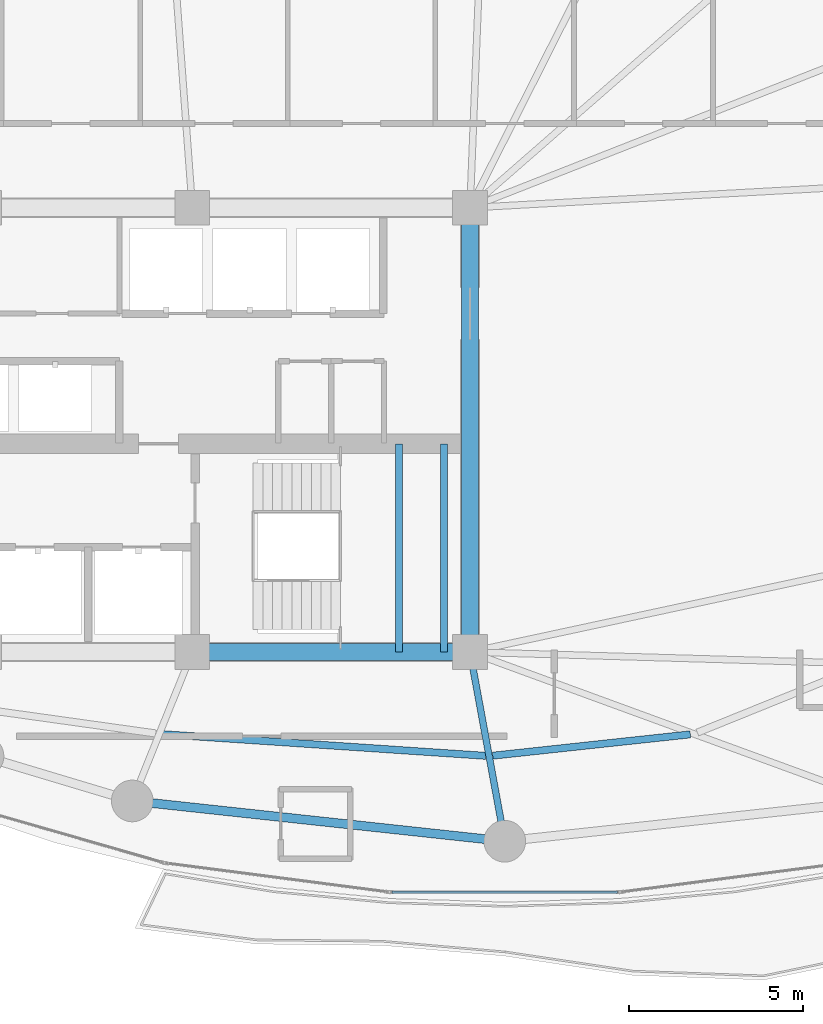
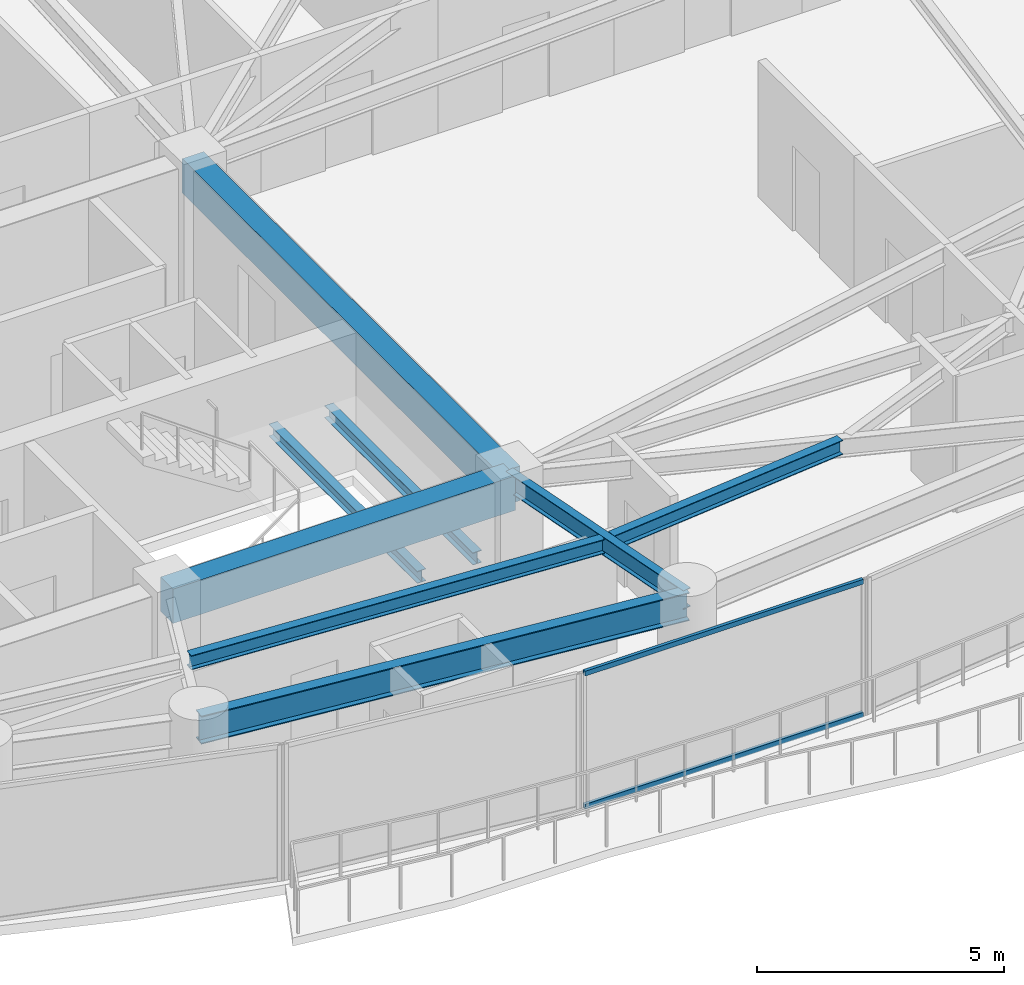
# One storey, part 6 of 28: 8 beams, 2 members, 1 element without a shape of its own.
"""IFC4 building model written with IfcOpenShell, lengths in metres."""

from ifc_helpers import new_model, si_unit, direction, frame, origin, origin_2d, place, context, subcontext, project, spatial, rectangle, hollow_rectangle, i_section, extrude, material, layer, layer_set, material_profile, profile_set, type_object, element, aggregate, save


model = new_model("IFC4")

# Units and contexts
model_context = context("Model", 3, precision=1e-05, world=origin(), true_north=direction((0.0, 1.0)))
body_context = subcontext(model_context, "Body", "Model", "MODEL_VIEW")
ifc_project = project(units=[si_unit("LENGTHUNIT", "METRE"), si_unit("AREAUNIT", "SQUARE_METRE"), si_unit("VOLUMEUNIT", "CUBIC_METRE"), si_unit("PLANEANGLEUNIT", "RADIAN"), si_unit("MASSUNIT", "GRAM", prefix="KILO")], contexts=[model_context])

# Site, building, storey
site_placement = place(None, origin())
site = spatial("IfcSite", under=ifc_project, at=site_placement, CompositionType="ELEMENT")
building_placement = place(site_placement, origin())
building = spatial("IfcBuilding", under=site, at=building_placement, Name="Kazevale Care Tower and Concert Hall", CompositionType="ELEMENT")
storey_placement = place(building_placement, frame((0.0, 0.0, 142.199951171875)))
storey = spatial("IfcBuildingStorey", under=building, at=storey_placement, Name="L37", CompositionType="ELEMENT", Elevation=142.199951171875)

# Curtain wall, members
ifc_material_1 = material(Name="Aluminium 6063-T6 and Low-E Glass", Category="aluminium")
ifc_layer = layer(ifc_material_1, 0.179931640625)
ifc_layer_set = layer_set([ifc_layer], Name="Aluminium 6063-T6 and Low-E Glass")
curtain_wall_type = type_object("IfcCurtainWallType", Name="Sheltered Concave Balcony Curtain Wall CW-5", PredefinedType="NOTDEFINED", material=ifc_layer_set)
curtain_wall_placement = place(storey_placement, origin())
curtain_wall = element("IfcCurtainWall", 1, at=curtain_wall_placement, inside=storey, type_object=curtain_wall_type, Name="cw:L37:f06", PredefinedType="NOTDEFINED")
ifc_material_2 = material(Name="Aluminium 6063-T6", Category="aluminium")
ifc_material_profile_1 = material_profile(ifc_material_2, hollow_rectangle(XDim=0.074951171875, YDim=0.1201171875, WallThickness=0.00390625, at=origin_2d()), Name="ALU75x120x4")
ifc_profile_set_1 = profile_set([ifc_material_profile_1], Name="Aluminium 6063-T6")
member_type = type_object("IfcMemberType", Name="CW-5 Transom ALU75x120x4", PredefinedType="USERDEFINED", material=ifc_profile_set_1)
member_1_placement = place(storey_placement, frame((48.25, 16.68408203125, 0.03759765625), z_axis=(-1.0, 0.0, 0.0), x_axis=(0.0, -1.0, 0.0)))
member_1 = element("IfcMember", 2, at=member_1_placement, type_object=member_type, Name="CW-5 transom 1.1", ObjectType="TRANSOM", PredefinedType="USERDEFINED", context=body_context, shape_type="SweptSolid", body=[
    extrude(hollow_rectangle(XDim=0.074951171875, YDim=0.1201171875, WallThickness=0.00390625, at=origin_2d()), origin(), (0.0, 0.0, 1.0), 6.5),
])
member_2_placement = place(storey_placement, frame((48.25, 16.68408203125, 3.322509765625), z_axis=(-1.0, 0.0, 0.0), x_axis=(0.0, -1.0, 0.0)))
member_2 = element("IfcMember", 3, at=member_2_placement, type_object=member_type, Name="CW-5 transom 1.2", ObjectType="TRANSOM", PredefinedType="USERDEFINED", context=body_context, shape_type="SweptSolid", body=[
    extrude(hollow_rectangle(XDim=0.074951171875, YDim=0.1201171875, WallThickness=0.00390625, at=origin_2d()), origin(), (0.0, 0.0, 1.0), 6.5),
])
aggregate(curtain_wall, [member_1, member_2])

# Beams
ifc_material_3 = material(Name="Concrete C60", Category="concrete")
ifc_material_profile_2 = material_profile(ifc_material_3, rectangle(XDim=0.5, YDim=0.85009765625, at=origin_2d()), Name="RC-B500x850")
ifc_profile_set_2 = profile_set([ifc_material_profile_2], Name="Concrete C60")
beam_type_1 = type_object("IfcBeamType", Name="Core Coupling Beam RC500x850", PredefinedType="LINTEL", material=ifc_profile_set_2)
beam_1_placement = place(storey_placement, frame((36.0, 23.60009765625, 2.93505859375), z_axis=(1.0, 0.0, 0.0), x_axis=(0.0, 1.0, 0.0)))
element("IfcBeam", 4, at=beam_1_placement, inside=storey, type_object=beam_type_1, Name="beam:L37:coretie:3", PredefinedType="LINTEL", context=body_context, shape_type="SweptSolid", body=[
    extrude(rectangle(XDim=0.5, YDim=0.85009765625, at=origin_2d()), origin(), (0.0, 0.0, 1.0), 8.0),
])
beam_2_placement = place(storey_placement, frame((44.0, 23.60009765625, 2.93505859375), z_axis=(0.0, 1.0, 0.0), x_axis=(-1.0, 0.0, 0.0)))
element("IfcBeam", 5, at=beam_2_placement, inside=storey, type_object=beam_type_1, Name="beam:L37:coretie:4", PredefinedType="LINTEL", context=body_context, shape_type="SweptSolid", body=[
    extrude(rectangle(XDim=0.5, YDim=0.85009765625, at=origin_2d()), origin(), (0.0, 0.0, 1.0), 12.7998046875),
])
ifc_material_4 = material(Name="Steel ASTM A572 Gr 50", Category="steel")
ifc_material_profile_3 = material_profile(ifc_material_4, i_section(OverallWidth=0.19091796875, OverallDepth=0.4599609375, WebThickness=0.010009765625, FlangeThickness=0.01611328125, at=origin_2d()), Name="W460x82")
ifc_profile_set_3 = profile_set([ifc_material_profile_3], Name="Steel ASTM A572 Gr 50")
beam_type_2 = type_object("IfcBeamType", Name="Radial Floor Beam W460x82", PredefinedType="BEAM", material=ifc_profile_set_3)
beam_3_placement = place(storey_placement, frame((44.0, 23.60009765625, 3.130126953125), z_axis=(0.180467114023, -0.983581018908, 0.0), x_axis=(0.983581018908, 0.180467114023, 0.0)))
element("IfcBeam", 6, at=beam_3_placement, inside=storey, type_object=beam_type_2, Name="beam:L37:rad:13", PredefinedType="BEAM", context=body_context, shape_type="SweptSolid", body=[
    extrude(i_section(OverallWidth=0.19091796875, OverallDepth=0.4599609375, WebThickness=0.010009765625, FlangeThickness=0.01611328125, at=origin_2d()), origin(), (0.0, 0.0, 1.0), 5.541259765625),
])
ifc_material_profile_4 = material_profile(ifc_material_4, i_section(OverallWidth=0.205078125, OverallDepth=0.35400390625, WebThickness=0.009521484375, FlangeThickness=0.016845703125, at=origin_2d()), Name="W360x79")
ifc_profile_set_4 = profile_set([ifc_material_profile_4], Name="Steel ASTM A572 Gr 50")
beam_type_3 = type_object("IfcBeamType", Name="Secondary Floor Joist W360x79", PredefinedType="JOIST", material=ifc_profile_set_4)
beam_4_placement = place(storey_placement, frame((35.153076171875, 21.23291015625, 3.18310546875), z_axis=(0.997761314569, -0.06687569925, 0.0), x_axis=(0.06687569925, 0.997761314569, 0.0)))
element("IfcBeam", 7, at=beam_4_placement, inside=storey, type_object=beam_type_3, Name="beam:L37:joist:12", PredefinedType="JOIST", context=body_context, shape_type="SweptSolid", body=[
    extrude(i_section(OverallWidth=0.205078125, OverallDepth=0.35400390625, WebThickness=0.009521484375, FlangeThickness=0.016845703125, at=origin_2d()), origin(), (0.0, 0.0, 1.0), 9.312744140625),
])
beam_5_placement = place(storey_placement, frame((44.654052734375, 20.614013671875, 3.18310546875), z_axis=(0.994215541126, 0.107403248482, 0.0), x_axis=(-0.107403248482, 0.994215541126, 0.0)))
element("IfcBeam", 8, at=beam_5_placement, inside=storey, type_object=beam_type_3, Name="beam:L37:joist:13", PredefinedType="JOIST", context=body_context, shape_type="SweptSolid", body=[
    extrude(i_section(OverallWidth=0.205078125, OverallDepth=0.35400390625, WebThickness=0.009521484375, FlangeThickness=0.016845703125, at=origin_2d()), origin(), (0.0, 0.0, 1.0), 5.72607421875),
])
ifc_material_profile_5 = material_profile(ifc_material_4, i_section(OverallWidth=0.202880859375, OverallDepth=0.302978515625, WebThickness=0.007568359375, FlangeThickness=0.01318359375, at=origin_2d()), Name="W310x60")
ifc_profile_set_5 = profile_set([ifc_material_profile_5], Name="Steel ASTM A572 Gr 50")
beam_type_4 = type_object("IfcBeamType", Name="Stair & Balcony Trimmer W310x60", PredefinedType="BEAM", material=ifc_profile_set_5)
for number, where, z_axis, x_axis, name in (
    (9, (41.949951171875, 23.60009765625, 1.448486328125), (0.0, 1.0, 0.0), (-1.0, 0.0, 0.0), "beam:L37:sttrim:ST2"),
    (10, (43.25, 23.60009765625, 1.448486328125), (0.0, 1.0, 0.0), (-1.0, 0.0, 0.0), "beam:L37:sttrim:ST2b"),
):
    element("IfcBeam", number, at=place(storey_placement, frame(where, z_axis=z_axis, x_axis=x_axis)), inside=storey, type_object=beam_type_4, Name=name, PredefinedType="BEAM", context=body_context, shape_type="SweptSolid", body=[
        extrude(i_section(OverallWidth=0.202880859375, OverallDepth=0.302978515625, WebThickness=0.007568359375, FlangeThickness=0.01318359375, at=origin_2d()), origin(), (0.0, 0.0, 1.0), 6.0),
    ])
ifc_material_profile_6 = material_profile(ifc_material_4, i_section(OverallWidth=0.256103515625, OverallDepth=0.693115234375, WebThickness=0.014404296875, FlangeThickness=0.023681640625, at=origin_2d()), Name="W690x170")
ifc_profile_set_6 = profile_set([ifc_material_profile_6], Name="Steel ASTM A572 Gr 50")
beam_type_5 = type_object("IfcBeamType", Name="Waist Ring Beam W690x170", PredefinedType="BEAM", material=ifc_profile_set_6)
beam_6_placement = place(storey_placement, frame((34.27001953125, 19.31005859375, 3.013427734375), z_axis=(0.994205479487, -0.107496346724, 0.0), x_axis=(0.107496346724, 0.994205479487, 0.0)))
element("IfcBeam", 11, at=beam_6_placement, inside=storey, type_object=beam_type_5, Name="beam:L37:ring:12", PredefinedType="BEAM", context=body_context, shape_type="SweptSolid", body=[
    extrude(i_section(OverallWidth=0.256103515625, OverallDepth=0.693115234375, WebThickness=0.014404296875, FlangeThickness=0.023681640625, at=origin_2d()), origin(), (0.0, 0.0, 1.0), 10.79248046875),
])

save(model, "model.ifc")
